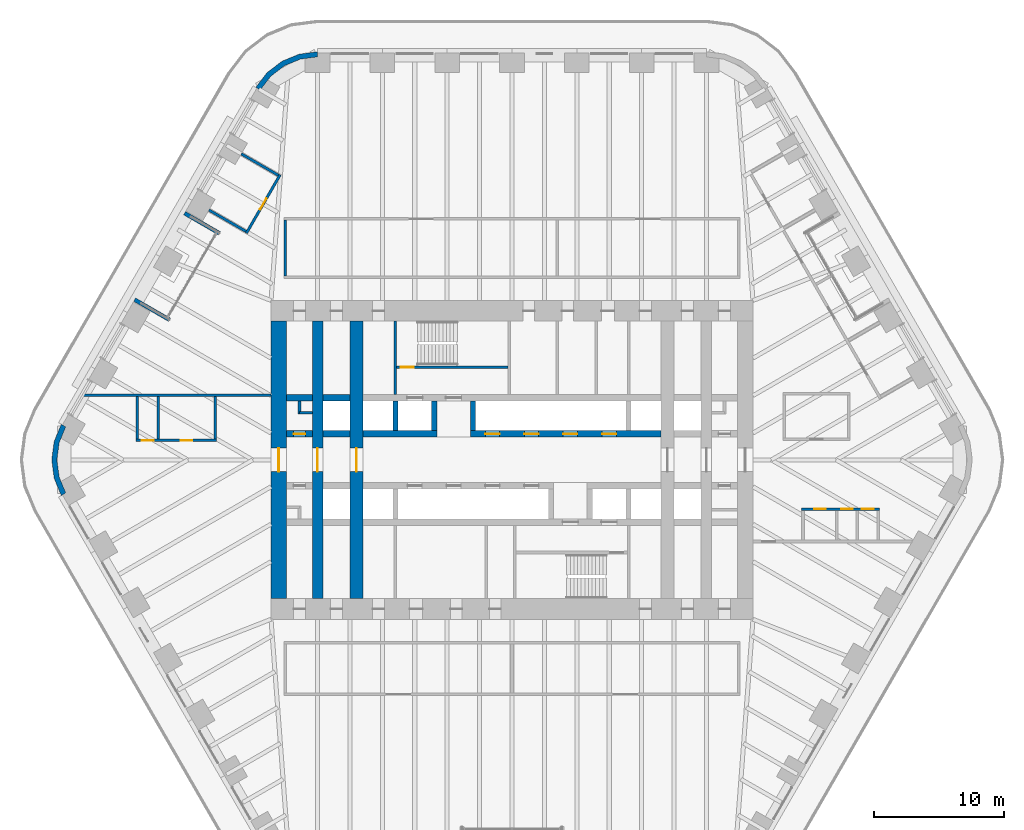
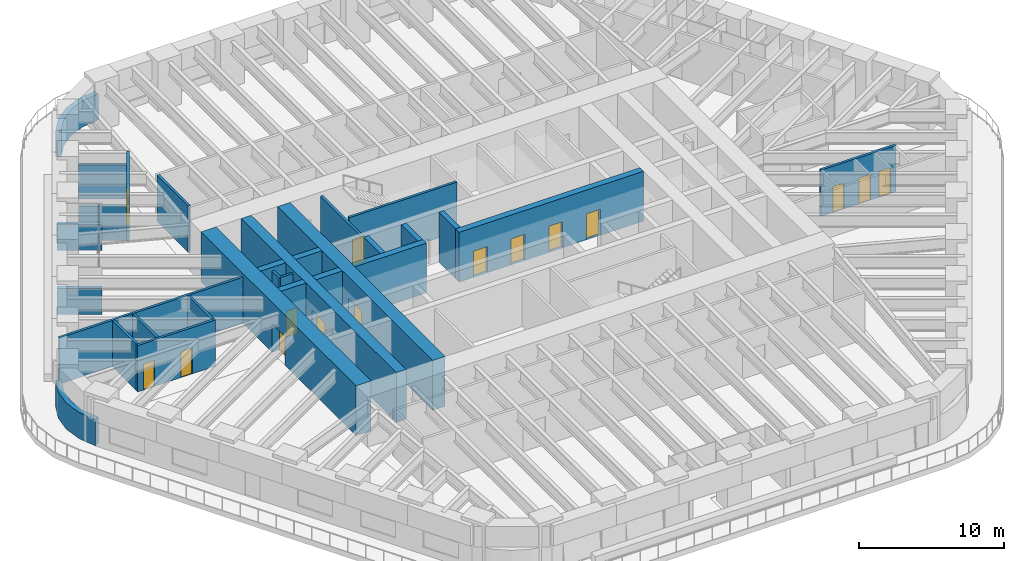
# One storey, part 14 of 19: 30 walls, 15 doors, 15 openings.
"""IFC4 building model written with IfcOpenShell, lengths in metres."""

from ifc_helpers import new_model, si_unit, direction, frame, frame_2d, origin, place, context, subcontext, project, spatial, polyline, rectangle, outline, extrude, material, layer, layer_set, type_object, element, fill, save


model = new_model("IFC4")

# Units and contexts
model_context = context("Model", 3, precision=1e-05, world=origin(), true_north=direction((0.0, 1.0)))
body_context = subcontext(model_context, "Body", "Model", "MODEL_VIEW")
ifc_project = project(units=[si_unit("LENGTHUNIT", "METRE"), si_unit("AREAUNIT", "SQUARE_METRE"), si_unit("VOLUMEUNIT", "CUBIC_METRE"), si_unit("PLANEANGLEUNIT", "RADIAN"), si_unit("MASSUNIT", "GRAM", prefix="KILO")], contexts=[model_context])

# Site, building, storey
site_placement = place(None, origin())
site = spatial("IfcSite", under=ifc_project, at=site_placement, CompositionType="ELEMENT")
building_placement = place(site_placement, origin())
building = spatial("IfcBuilding", under=site, at=building_placement, Name="Tarfa Lantern Tower", CompositionType="ELEMENT")
storey_placement = place(building_placement, frame((0.0, 0.0, 199.300048828125)))
storey = spatial("IfcBuildingStorey", under=building, at=storey_placement, Name="L45", CompositionType="ELEMENT", Elevation=199.300048828125)

# Walls
ifc_material_1 = material(Name="Limestone cladding on blockwork", Category="masonry")
ifc_layer_1 = layer(ifc_material_1, 0.300048828125)
ifc_layer_set_1 = layer_set([ifc_layer_1], Name="EW1 STONE-CLAD WALL 300")
wall_type_1 = type_object("IfcWallType", Name="EW1 STONE-CLAD WALL 300", PredefinedType="SOLIDWALL", material=ifc_layer_set_1)
wall_1_placement = place(storey_placement, frame((-25.266357421875, 19.037353515625, 0.0), z_axis=(0.0, 0.0, 1.0), x_axis=(0.86600983753, -0.500026960575, 0.0)))
element("IfcWall", 1, at=wall_1_placement, inside=storey, type_object=wall_type_1, Name="Loggia return NW 1", PredefinedType="SOLIDWALL", context=body_context, shape_type="SweptSolid", body=[
    extrude(rectangle(XDim=3.099853515625, YDim=0.300048828125, at=frame_2d((1.5498046875, 0.0))), origin(), (0.0, 0.0, 1.0), 2.199951171875),
])
wall_2_placement = place(storey_placement, frame((-29.1201171875, 12.362548828125, 0.0), z_axis=(0.0, 0.0, 1.0), x_axis=(0.86602952684, -0.49999285859, 0.0)))
element("IfcWall", 2, at=wall_2_placement, inside=storey, type_object=wall_type_1, Name="Loggia return NW 2", PredefinedType="SOLIDWALL", context=body_context, shape_type="SweptSolid", body=[
    extrude(rectangle(XDim=3.10009765625, YDim=0.300048828125, at=frame_2d((1.550048828125, 0.0))), origin(), (0.0, 0.0, 1.0), 2.199951171875),
])
ifc_layer_2 = layer(ifc_material_1, 0.39990234375)
ifc_layer_set_2 = layer_set([ifc_layer_2], Name="EW2 CURVED STONE CORNER 400")
wall_type_2 = type_object("IfcWallType", Name="EW2 CURVED STONE CORNER 400", PredefinedType="SOLIDWALL", material=ifc_layer_set_2)
wall_3_placement = place(storey_placement, origin())
element("IfcWall", 3, at=wall_3_placement, inside=storey, type_object=wall_type_2, Name="Stone corner N-NW", PredefinedType="SOLIDWALL", context=body_context, shape_type="SweptSolid", body=[
    extrude(outline(polyline([(-15.010986328125, 31.5), (-16.4345703125, 31.3125), (-17.760986328125, 30.76318359375), (-18.900146484375, 29.88916015625), (-19.774169921875, 28.75), (-19.427734375, 28.550048828125), (-18.617431640625, 29.606201171875), (-17.56103515625, 30.416748046875), (-16.3310546875, 30.92626953125), (-15.010986328125, 31.10009765625), (-15.010986328125, 31.5)])), origin(), (0.0, 0.0, 1.0), 2.199951171875),
])
wall_4_placement = place(storey_placement, origin())
element("IfcWall", 4, at=wall_4_placement, inside=storey, type_object=wall_type_2, Name="Stone corner NW-SW", PredefinedType="SOLIDWALL", context=body_context, shape_type="SweptSolid", body=[
    extrude(outline(polyline([(-34.785400390625, 2.75), (-35.334716796875, 1.423583984375), (-35.522216796875, 0.0), (-35.334716796875, -1.423583984375), (-34.785400390625, -2.75), (-34.43896484375, -2.550048828125), (-34.948486328125, -1.320068359375), (-35.122314453125, 0.0), (-34.948486328125, 1.320068359375), (-34.43896484375, 2.550048828125), (-34.785400390625, 2.75)])), origin(), (0.0, 0.0, 1.0), 2.199951171875),
])
ifc_material_2 = material(Name="Concrete blockwork", Category="masonry")
ifc_layer_3 = layer(ifc_material_2, 0.199951171875)
ifc_layer_set_3 = layer_set([ifc_layer_3], Name="IW1 BLOCKWORK PARTITION 200 EI 120")
wall_type_3 = type_object("IfcWallType", Name="IW1 BLOCKWORK PARTITION 200 EI 120", PredefinedType="PARTITIONING", material=ifc_layer_set_3)
wall_5_placement = place(storey_placement, frame((-9.0, 5.050048828125, 0.0), z_axis=(0.0, 0.0, 1.0), x_axis=(0.0, 1.0, 0.0)))
element("IfcWall", 5, at=wall_5_placement, inside=storey, type_object=wall_type_3, Name="Core partition", PredefinedType="PARTITIONING", context=body_context, shape_type="SweptSolid", body=[
    extrude(rectangle(XDim=5.64990234375, YDim=0.199951171875, at=frame_2d((2.824951171875, 0.0))), origin(), (0.0, 0.0, 1.0), 3.89990234375),
])
for number, where, z_axis, x_axis, name in (
    (6, (-16.39990234375, 3.64990234375, 0.0), (0.0, 0.0, 1.0), (1.0, 0.0, 0.0), "Core partition"),
    (7, (-16.39990234375, 3.550048828125, 0.0), (0.0, 0.0, 1.0), (0.0, 1.0, 0.0), "Core partition"),
):
    element("IfcWall", number, at=place(storey_placement, frame(where, z_axis=z_axis, x_axis=x_axis)), inside=storey, type_object=wall_type_3, Name=name, PredefinedType="PARTITIONING", context=body_context, shape_type="SweptSolid", body=[
        extrude(rectangle(XDim=1.0, YDim=0.199951171875, at=frame_2d((0.5, 0.0))), origin(), (0.0, 0.0, 1.0), 3.89990234375),
    ])
ifc_material_3 = material(Name="Gypsum board on steel studs", Category="steel")
ifc_layer_4 = layer(ifc_material_3, 0.2099609375)
ifc_layer_set_4 = layer_set([ifc_layer_4], Name="IW2 ACOUSTIC PARTITION 200")
wall_type_4 = type_object("IfcWallType", Name="IW2 ACOUSTIC PARTITION 200", PredefinedType="PARTITIONING", material=ifc_layer_set_4)
wall_6_placement = place(storey_placement, frame((-17.5, 14.199951171875, 0.0), z_axis=(0.0, 0.0, 1.0), x_axis=(0.0, 1.0, 0.0)))
element("IfcWall", 8, at=wall_6_placement, inside=storey, type_object=wall_type_4, Name="Partition", PredefinedType="PARTITIONING", context=body_context, shape_type="SweptSolid", body=[
    extrude(rectangle(XDim=4.300048828125, YDim=0.199951171875, at=frame_2d((2.14990234375, 0.0))), origin(), (0.0, 0.0, 1.0), 3.89990234375),
])

# Wall, opening, door
wall_7_placement = place(storey_placement, frame((-17.89599609375, 22.003173828125, 0.0), z_axis=(0.0, 0.0, 1.0), x_axis=(-0.500009456303, -0.866019944116, 0.0)))
wall_7 = element("IfcWall", 9, at=wall_7_placement, inside=storey, type_object=wall_type_4, Name="Partition", PredefinedType="PARTITIONING", context=body_context, shape_type="SweptSolid", body=[
    extrude(rectangle(XDim=5.20361328125, YDim=0.199951171875, at=frame_2d((2.601806640625, 0.0))), origin(), (0.0, 0.0, 1.0), 3.89990234375),
])
opening_1_placement = place(wall_7_placement, frame((2.101806640625, 0.0, 0.0)))
opening_1 = element("IfcOpeningElement", 10, at=opening_1_placement, cuts=wall_7, Name="Opening D38", PredefinedType="OPENING", context=body_context, shape_type="SweptSolid", body=[
    extrude(rectangle(XDim=1.0, YDim=2.199951171875, at=frame_2d((0.5, 1.10009765625))), frame((0.0, 0.10986328125, 0.0), z_axis=(0.0, -1.0, 0.0), x_axis=(1.0, 0.0, 0.0)), (0.0, 0.0, 1.0), 0.219970703125),
])
ifc_material_4 = material(Name="Timber door", Category="wood")
door_type_1 = type_object("IfcDoorType", Name="DR1 ROOM DOOR 1000x2200", OperationType="SINGLE_SWING_LEFT", PredefinedType="DOOR", material=ifc_material_4)
door_1_placement = place(opening_1_placement, frame((1.0, 0.0, 0.0), z_axis=(0.0, 0.0, 1.0), x_axis=(-1.0, 0.0, 0.0)))
door_1 = element("IfcDoor", 11, at=door_1_placement, inside=storey, type_object=door_type_1, Name="Materials preparation room door", OperationType="SINGLE_SWING_RIGHT", OverallHeight=2.199951171875, OverallWidth=1.0, PredefinedType="DOOR", context=body_context, shape_type="SweptSolid", body=[
    extrude(rectangle(XDim=1.0, YDim=2.199951171875, at=frame_2d((0.5, 1.10009765625))), frame((0.0, 0.02490234375, 0.0), z_axis=(0.0, -1.0, 0.0), x_axis=(1.0, 0.0, 0.0)), (0.0, 0.0, 1.0), 0.050048828125),
])
fill(opening_1, door_1)

# Walls
for number, where, z_axis, x_axis, name in (
    (12, (-18.032470703125, 21.966552734375, 0.0), (0.0, 0.0, 1.0), (-0.866008176907, 0.50002983664, 0.0), "Partition"),
    (13, (-20.534423828125, 17.63330078125, 0.0), (0.0, 0.0, 1.0), (-0.866008176907, 0.50002983664, 0.0), "Partition"),
):
    element("IfcWall", number, at=place(storey_placement, frame(where, z_axis=z_axis, x_axis=x_axis)), inside=storey, type_object=wall_type_4, Name=name, PredefinedType="PARTITIONING", context=body_context, shape_type="SweptSolid", body=[
        extrude(rectangle(XDim=3.300048828125, YDim=0.199951171875, at=frame_2d((1.64990234375, 0.0))), origin(), (0.0, 0.0, 1.0), 2.891845703125),
    ])
wall_8_placement = place(storey_placement, frame((-18.60009765625, 5.0, 0.0), z_axis=(0.0, 0.0, 1.0), x_axis=(-1.0, 0.0, 0.0)))
element("IfcWall", 14, at=wall_8_placement, inside=storey, type_object=wall_type_4, Name="Partition", PredefinedType="PARTITIONING", context=body_context, shape_type="SweptSolid", body=[
    extrude(rectangle(XDim=14.632080078125, YDim=0.199951171875, at=frame_2d((7.31591796875, 0.0))), origin(), (0.0, 0.0, 1.0), 3.89990234375),
])

# Wall, openings, doors
wall_9_placement = place(storey_placement, frame((-22.816162109375, 1.5, 0.0), z_axis=(0.0, 0.0, 1.0), x_axis=(-1.0, 0.0, 0.0)))
wall_9 = element("IfcWall", 15, at=wall_9_placement, inside=storey, type_object=wall_type_4, Name="Partition", PredefinedType="PARTITIONING", context=body_context, shape_type="SweptSolid", body=[
    extrude(rectangle(XDim=6.199951171875, YDim=0.199951171875, at=frame_2d((3.10009765625, 0.0))), origin(), (0.0, 0.0, 1.0), 3.89990234375),
])
opening_2_placement = place(wall_9_placement, frame((1.85009765625, 0.0, 0.0)))
opening_2 = element("IfcOpeningElement", 16, at=opening_2_placement, cuts=wall_9, Name="Opening D43", PredefinedType="OPENING", context=body_context, shape_type="SweptSolid", body=[
    extrude(rectangle(XDim=0.89990234375, YDim=2.199951171875, at=frame_2d((0.449951171875, 1.10009765625))), frame((0.0, 0.10986328125, 0.0), z_axis=(0.0, -1.0, 0.0), x_axis=(1.0, 0.0, 0.0)), (0.0, 0.0, 1.0), 0.219970703125),
])
opening_3_placement = place(wall_9_placement, frame((4.85009765625, 0.0, 0.0)))
opening_3 = element("IfcOpeningElement", 17, at=opening_3_placement, cuts=wall_9, Name="Opening D44", PredefinedType="OPENING", context=body_context, shape_type="SweptSolid", body=[
    extrude(rectangle(XDim=0.89990234375, YDim=2.199951171875, at=frame_2d((0.449951171875, 1.10009765625))), frame((0.0, 0.10986328125, 0.0), z_axis=(0.0, -1.0, 0.0), x_axis=(1.0, 0.0, 0.0)), (0.0, 0.0, 1.0), 0.219970703125),
])
door_type_2 = type_object("IfcDoorType", Name="DR3 ROOM DOOR 900x2200", OperationType="SINGLE_SWING_LEFT", PredefinedType="DOOR", material=ifc_material_4)
door_2_placement = place(opening_2_placement, frame((0.89990234375, 0.0, 0.0), z_axis=(0.0, 0.0, 1.0), x_axis=(-1.0, 0.0, 0.0)))
door_2 = element("IfcDoor", 18, at=door_2_placement, inside=storey, type_object=door_type_2, Name="Meeting room door", OperationType="SINGLE_SWING_LEFT", OverallHeight=2.199951171875, OverallWidth=0.89990234375, PredefinedType="DOOR", context=body_context, shape_type="SweptSolid", body=[
    extrude(rectangle(XDim=0.89990234375, YDim=2.199951171875, at=frame_2d((0.449951171875, 1.10009765625))), frame((0.0, 0.02490234375, 0.0), z_axis=(0.0, -1.0, 0.0), x_axis=(1.0, 0.0, 0.0)), (0.0, 0.0, 1.0), 0.050048828125),
])
fill(opening_2, door_2)
door_3_placement = place(opening_3_placement, frame((0.89990234375, 0.0, 0.0), z_axis=(0.0, 0.0, 1.0), x_axis=(-1.0, 0.0, 0.0)))
door_3 = element("IfcDoor", 19, at=door_3_placement, inside=storey, type_object=door_type_2, Name="Phone booth door", OperationType="SINGLE_SWING_RIGHT", OverallHeight=2.199951171875, OverallWidth=0.89990234375, PredefinedType="DOOR", context=body_context, shape_type="SweptSolid", body=[
    extrude(rectangle(XDim=0.89990234375, YDim=2.199951171875, at=frame_2d((0.449951171875, 1.10009765625))), frame((0.0, 0.02490234375, 0.0), z_axis=(0.0, -1.0, 0.0), x_axis=(1.0, 0.0, 0.0)), (0.0, 0.0, 1.0), 0.050048828125),
])
fill(opening_3, door_3)

# Walls
for number, where, z_axis, x_axis, name in (
    (20, (-22.916015625, 4.89990234375, 0.0), (0.0, 0.0, 1.0), (0.0, -1.0, 0.0), "Partition"),
    (21, (-27.316162109375, 4.89990234375, 0.0), (0.0, 0.0, 1.0), (0.0, -1.0, 0.0), "Partition"),
    (22, (-28.916015625, 4.89990234375, 0.0), (0.0, 0.0, 1.0), (0.0, -1.0, 0.0), "Partition"),
):
    element("IfcWall", number, at=place(storey_placement, frame(where, z_axis=z_axis, x_axis=x_axis)), inside=storey, type_object=wall_type_4, Name=name, PredefinedType="PARTITIONING", context=body_context, shape_type="SweptSolid", body=[
        extrude(rectangle(XDim=3.2998046875, YDim=0.199951171875, at=frame_2d((1.64990234375, 0.0))), origin(), (0.0, 0.0, 1.0), 3.89990234375),
    ])

# Wall, openings, doors
wall_10_placement = place(storey_placement, frame((22.358642578125, -3.800048828125, 0.0), z_axis=(0.0, 0.0, 1.0), x_axis=(1.0, 0.0, 0.0)))
wall_10 = element("IfcWall", 23, at=wall_10_placement, inside=storey, type_object=wall_type_4, Name="Partition", PredefinedType="PARTITIONING", context=body_context, shape_type="SweptSolid", body=[
    extrude(rectangle(XDim=6.0, YDim=0.199951171875, at=frame_2d((3.0, 0.0))), origin(), (0.0, 0.0, 1.0), 3.89990234375),
])
opening_4_placement = place(wall_10_placement, frame((0.949951171875, 0.0, 0.0)))
opening_4 = element("IfcOpeningElement", 24, at=opening_4_placement, cuts=wall_10, Name="Opening D45", PredefinedType="OPENING", context=body_context, shape_type="SweptSolid", body=[
    extrude(rectangle(XDim=0.89990234375, YDim=2.199951171875, at=frame_2d((0.449951171875, 1.10009765625))), frame((0.0, 0.10986328125, 0.0), z_axis=(0.0, -1.0, 0.0), x_axis=(1.0, 0.0, 0.0)), (0.0, 0.0, 1.0), 0.219970703125),
])
opening_5_placement = place(wall_10_placement, frame((3.050048828125, 0.0, 0.0)))
opening_5 = element("IfcOpeningElement", 25, at=opening_5_placement, cuts=wall_10, Name="Opening D46", PredefinedType="OPENING", context=body_context, shape_type="SweptSolid", body=[
    extrude(rectangle(XDim=0.89990234375, YDim=2.199951171875, at=frame_2d((0.449951171875, 1.10009765625))), frame((0.0, 0.10986328125, 0.0), z_axis=(0.0, -1.0, 0.0), x_axis=(1.0, 0.0, 0.0)), (0.0, 0.0, 1.0), 0.219970703125),
])
opening_6_placement = place(wall_10_placement, frame((4.64990234375, 0.0, 0.0)))
opening_6 = element("IfcOpeningElement", 26, at=opening_6_placement, cuts=wall_10, Name="Opening D47", PredefinedType="OPENING", context=body_context, shape_type="SweptSolid", body=[
    extrude(rectangle(XDim=0.89990234375, YDim=2.199951171875, at=frame_2d((0.449951171875, 1.10009765625))), frame((0.0, 0.10986328125, 0.0), z_axis=(0.0, -1.0, 0.0), x_axis=(1.0, 0.0, 0.0)), (0.0, 0.0, 1.0), 0.219970703125),
])
door_4_placement = place(opening_4_placement, frame((0.89990234375, 0.0, 0.0), z_axis=(0.0, 0.0, 1.0), x_axis=(-1.0, 0.0, 0.0)))
door_4 = element("IfcDoor", 27, at=door_4_placement, inside=storey, type_object=door_type_2, Name="Print and copy room door", OperationType="SINGLE_SWING_LEFT", OverallHeight=2.199951171875, OverallWidth=0.89990234375, PredefinedType="DOOR", context=body_context, shape_type="SweptSolid", body=[
    extrude(rectangle(XDim=0.89990234375, YDim=2.199951171875, at=frame_2d((0.449951171875, 1.10009765625))), frame((0.0, 0.02490234375, 0.0), z_axis=(0.0, -1.0, 0.0), x_axis=(1.0, 0.0, 0.0)), (0.0, 0.0, 1.0), 0.050048828125),
])
fill(opening_4, door_4)
door_5_placement = place(opening_5_placement, frame((0.89990234375, 0.0, 0.0), z_axis=(0.0, 0.0, 1.0), x_axis=(-1.0, 0.0, 0.0)))
door_5 = element("IfcDoor", 28, at=door_5_placement, inside=storey, type_object=door_type_2, Name="Phone booth door", OperationType="SINGLE_SWING_RIGHT", OverallHeight=2.199951171875, OverallWidth=0.89990234375, PredefinedType="DOOR", context=body_context, shape_type="SweptSolid", body=[
    extrude(rectangle(XDim=0.89990234375, YDim=2.199951171875, at=frame_2d((0.449951171875, 1.10009765625))), frame((0.0, 0.02490234375, 0.0), z_axis=(0.0, -1.0, 0.0), x_axis=(1.0, 0.0, 0.0)), (0.0, 0.0, 1.0), 0.050048828125),
])
fill(opening_5, door_5)
door_6_placement = place(opening_6_placement, frame((0.89990234375, 0.0, 0.0), z_axis=(0.0, 0.0, 1.0), x_axis=(-1.0, 0.0, 0.0)))
door_6 = element("IfcDoor", 29, at=door_6_placement, inside=storey, type_object=door_type_2, Name="Phone booth door", OperationType="SINGLE_SWING_RIGHT", OverallHeight=2.199951171875, OverallWidth=0.89990234375, PredefinedType="DOOR", context=body_context, shape_type="SweptSolid", body=[
    extrude(rectangle(XDim=0.89990234375, YDim=2.199951171875, at=frame_2d((0.449951171875, 1.10009765625))), frame((0.0, 0.02490234375, 0.0), z_axis=(0.0, -1.0, 0.0), x_axis=(1.0, 0.0, 0.0)), (0.0, 0.0, 1.0), 0.050048828125),
])
fill(opening_6, door_6)

# Wall, opening, door
ifc_material_5 = material(Name="Concrete C80/95", Category="concrete")
ifc_layer_5 = layer(ifc_material_5, 1.199951171875)
ifc_layer_set_5 = layer_set([ifc_layer_5], Name="SW1 CORE WALL 1200")
wall_type_5 = type_object("IfcWallType", Name="SW1 CORE WALL 1200", PredefinedType="SHEAR", material=ifc_layer_set_5)
wall_11_placement = place(storey_placement, frame((-18.0, 10.699951171875, 0.0), z_axis=(0.0, 0.0, 1.0), x_axis=(0.0, -1.0, 0.0)))
wall_11 = element("IfcWall", 30, at=wall_11_placement, inside=storey, type_object=wall_type_5, Name="Core wall W", PredefinedType="SHEAR", context=body_context, shape_type="SweptSolid", body=[
    extrude(rectangle(XDim=21.39990234375, YDim=1.199951171875, at=frame_2d((10.699951171875, 0.0))), origin(), (0.0, 0.0, 1.0), 4.199951171875),
])
opening_7_placement = place(wall_11_placement, frame((9.800048828125, 0.0, 0.0)))
opening_7 = element("IfcOpeningElement", 31, at=opening_7_placement, cuts=wall_11, Name="Opening D16", PredefinedType="OPENING", context=body_context, shape_type="SweptSolid", body=[
    extrude(rectangle(XDim=1.800048828125, YDim=2.39990234375, at=frame_2d((0.89990234375, 1.199951171875))), frame((0.0, 0.60986328125, 0.0), z_axis=(0.0, -1.0, 0.0), x_axis=(1.0, 0.0, 0.0)), (0.0, 0.0, 1.0), 1.219970703125),
])
ifc_material_6 = material(Name="Steel fire door", Category="steel")
door_type_3 = type_object("IfcDoorType", Name="DL1 LOBBY DOOR 1800x2400", OperationType="DOUBLE_DOOR_SINGLE_SWING", PredefinedType="DOOR", material=ifc_material_6)
door_7_placement = place(opening_7_placement, frame((1.800048828125, 0.0, 0.0), z_axis=(0.0, 0.0, 1.0), x_axis=(-1.0, 0.0, 0.0)))
door_7 = element("IfcDoor", 32, at=door_7_placement, inside=storey, type_object=door_type_3, Name="Lift lobby door", OperationType="DOUBLE_DOOR_SINGLE_SWING", OverallHeight=2.39990234375, OverallWidth=1.800048828125, PredefinedType="DOOR", context=body_context, shape_type="SweptSolid", body=[
    extrude(rectangle(XDim=1.800048828125, YDim=2.39990234375, at=frame_2d((0.89990234375, 1.199951171875))), frame((0.0, 0.02490234375, 0.0), z_axis=(0.0, -1.0, 0.0), x_axis=(1.0, 0.0, 0.0)), (0.0, 0.0, 1.0), 0.050048828125),
])
fill(opening_7, door_7)

ifc_layer_6 = layer(ifc_material_5, 0.800048828125)
ifc_layer_set_6 = layer_set([ifc_layer_6], Name="SW10 CORE WALL 800")
wall_type_6 = type_object("IfcWallType", Name="SW10 CORE WALL 800", PredefinedType="SHEAR", material=ifc_layer_set_6)
wall_12_placement = place(storey_placement, frame((-15.0, -10.699951171875, 0.0), z_axis=(0.0, 0.0, 1.0), x_axis=(0.0, 1.0, 0.0)))
wall_12 = element("IfcWall", 33, at=wall_12_placement, inside=storey, type_object=wall_type_6, Name="Core wall cross 15 m west", PredefinedType="SHEAR", context=body_context, shape_type="SweptSolid", body=[
    extrude(rectangle(XDim=21.39990234375, YDim=0.800048828125, at=frame_2d((10.699951171875, 0.0))), origin(), (0.0, 0.0, 1.0), 4.199951171875),
])
opening_8_placement = place(wall_12_placement, frame((9.800048828125, 0.0, 0.0)))
opening_8 = element("IfcOpeningElement", 34, at=opening_8_placement, cuts=wall_12, Name="Opening D32", PredefinedType="OPENING", context=body_context, shape_type="SweptSolid", body=[
    extrude(rectangle(XDim=1.800048828125, YDim=2.39990234375, at=frame_2d((0.89990234375, 1.199951171875))), frame((0.0, 0.409912109375, 0.0), z_axis=(0.0, -1.0, 0.0), x_axis=(1.0, 0.0, 0.0)), (0.0, 0.0, 1.0), 0.820068359375),
])
door_8_placement = place(opening_8_placement, origin())
door_8 = element("IfcDoor", 35, at=door_8_placement, inside=storey, type_object=door_type_3, Name="Lift lobby door", OperationType="DOUBLE_DOOR_SINGLE_SWING", OverallHeight=2.39990234375, OverallWidth=1.800048828125, PredefinedType="DOOR", context=body_context, shape_type="SweptSolid", body=[
    extrude(rectangle(XDim=1.800048828125, YDim=2.39990234375, at=frame_2d((0.89990234375, 1.199951171875))), frame((0.0, 0.02490234375, 0.0), z_axis=(0.0, -1.0, 0.0), x_axis=(1.0, 0.0, 0.0)), (0.0, 0.0, 1.0), 0.050048828125),
])
fill(opening_8, door_8)

ifc_layer_7 = layer(ifc_material_5, 0.199951171875)
ifc_layer_set_7 = layer_set([ifc_layer_7], Name="SW12 CORE WALL 200")
wall_type_7 = type_object("IfcWallType", Name="SW12 CORE WALL 200", PredefinedType="SHEAR", material=ifc_layer_set_7)
wall_13_placement = place(storey_placement, frame((-8.89990234375, 7.14990234375, 0.0), z_axis=(0.0, 0.0, 1.0), x_axis=(1.0, 0.0, 0.0)))
wall_13 = element("IfcWall", 36, at=wall_13_placement, inside=storey, type_object=wall_type_7, Name="Core wall stair partition N", PredefinedType="SHEAR", context=body_context, shape_type="SweptSolid", body=[
    extrude(rectangle(XDim=8.599853515625, YDim=0.199951171875, at=frame_2d((4.2998046875, 0.0))), origin(), (0.0, 0.0, 1.0), 4.199951171875),
])
opening_9_placement = place(wall_13_placement, frame((0.300048828125, 0.0, 0.0)))
opening_9 = element("IfcOpeningElement", 37, at=opening_9_placement, cuts=wall_13, Name="Opening D27", PredefinedType="OPENING", context=body_context, shape_type="SweptSolid", body=[
    extrude(rectangle(XDim=1.0, YDim=2.199951171875, at=frame_2d((0.5, 1.10009765625))), frame((0.0, 0.10986328125, 0.0), z_axis=(0.0, -1.0, 0.0), x_axis=(1.0, 0.0, 0.0)), (0.0, 0.0, 1.0), 0.219970703125),
])
door_type_4 = type_object("IfcDoorType", Name="DF2 STAIR DOOR 1000x2200", OperationType="SINGLE_SWING_LEFT", PredefinedType="DOOR", material=ifc_material_6)
door_9_placement = place(opening_9_placement, origin())
door_9 = element("IfcDoor", 38, at=door_9_placement, inside=storey, type_object=door_type_4, Name="Stair door", OperationType="SINGLE_SWING_RIGHT", OverallHeight=2.199951171875, OverallWidth=1.0, PredefinedType="DOOR", context=body_context, shape_type="SweptSolid", body=[
    extrude(rectangle(XDim=1.0, YDim=2.199951171875, at=frame_2d((0.5, 1.10009765625))), frame((0.0, 0.02490234375, 0.0), z_axis=(0.0, -1.0, 0.0), x_axis=(1.0, 0.0, 0.0)), (0.0, 0.0, 1.0), 0.050048828125),
])
fill(opening_9, door_9)

ifc_layer_8 = layer(ifc_material_5, 1.0)
ifc_layer_set_8 = layer_set([ifc_layer_8], Name="SW2 CORE WALL 1000")
wall_type_8 = type_object("IfcWallType", Name="SW2 CORE WALL 1000", PredefinedType="SHEAR", material=ifc_layer_set_8)
wall_14_placement = place(storey_placement, frame((-12.0, -10.699951171875, 0.0), z_axis=(0.0, 0.0, 1.0), x_axis=(0.0, 1.0, 0.0)))
wall_14 = element("IfcWall", 39, at=wall_14_placement, inside=storey, type_object=wall_type_8, Name="Core wall cross 12 m west", PredefinedType="SHEAR", context=body_context, shape_type="SweptSolid", body=[
    extrude(rectangle(XDim=21.39990234375, YDim=1.0, at=frame_2d((10.699951171875, 0.0))), origin(), (0.0, 0.0, 1.0), 4.199951171875),
])
opening_10_placement = place(wall_14_placement, frame((9.800048828125, 0.0, 0.0)))
opening_10 = element("IfcOpeningElement", 40, at=opening_10_placement, cuts=wall_14, Name="Opening D31", PredefinedType="OPENING", context=body_context, shape_type="SweptSolid", body=[
    extrude(rectangle(XDim=1.800048828125, YDim=2.39990234375, at=frame_2d((0.89990234375, 1.199951171875))), frame((0.0, 0.510009765625, 0.0), z_axis=(0.0, -1.0, 0.0), x_axis=(1.0, 0.0, 0.0)), (0.0, 0.0, 1.0), 1.02001953125),
])
door_10_placement = place(opening_10_placement, origin())
door_10 = element("IfcDoor", 41, at=door_10_placement, inside=storey, type_object=door_type_3, Name="Lift lobby door", OperationType="DOUBLE_DOOR_SINGLE_SWING", OverallHeight=2.39990234375, OverallWidth=1.800048828125, PredefinedType="DOOR", context=body_context, shape_type="SweptSolid", body=[
    extrude(rectangle(XDim=1.800048828125, YDim=2.39990234375, at=frame_2d((0.89990234375, 1.199951171875))), frame((0.0, 0.02490234375, 0.0), z_axis=(0.0, -1.0, 0.0), x_axis=(1.0, 0.0, 0.0)), (0.0, 0.0, 1.0), 0.050048828125),
])
fill(opening_10, door_10)

ifc_layer_9 = layer(ifc_material_5, 0.5)
ifc_layer_set_9 = layer_set([ifc_layer_9], Name="SW5 CORE WALL 500")
wall_type_9 = type_object("IfcWallType", Name="SW5 CORE WALL 500", PredefinedType="SHEAR", material=ifc_layer_set_9)
wall_15_placement = place(storey_placement, frame((-17.39990234375, 2.0, 0.0), z_axis=(0.0, 0.0, 1.0), x_axis=(1.0, 0.0, 0.0)))
wall_15 = element("IfcWall", 42, at=wall_15_placement, inside=storey, type_object=wall_type_9, Name="Core wall lobby west N", PredefinedType="SHEAR", context=body_context, shape_type="SweptSolid", body=[
    extrude(rectangle(XDim=2.0, YDim=0.5, at=frame_2d((1.0, 0.0))), origin(), (0.0, 0.0, 1.0), 4.199951171875),
])
opening_11_placement = place(wall_15_placement, frame((0.550048828125, 0.0, 0.0)))
opening_11 = element("IfcOpeningElement", 43, at=opening_11_placement, cuts=wall_15, Name="Opening D19", PredefinedType="OPENING", context=body_context, shape_type="SweptSolid", body=[
    extrude(rectangle(XDim=0.89990234375, YDim=2.199951171875, at=frame_2d((0.449951171875, 1.10009765625))), frame((0.0, 0.260009765625, 0.0), z_axis=(0.0, -1.0, 0.0), x_axis=(1.0, 0.0, 0.0)), (0.0, 0.0, 1.0), 0.52001953125),
])
door_type_5 = type_object("IfcDoorType", Name="DF6 SERVICE ROOM DOOR 900x2200", OperationType="SINGLE_SWING_LEFT", PredefinedType="DOOR", material=ifc_material_6)
door_11_placement = place(opening_11_placement, origin())
door_11 = element("IfcDoor", 44, at=door_11_placement, inside=storey, type_object=door_type_5, Name="Service room door", OperationType="SINGLE_SWING_LEFT", OverallHeight=2.199951171875, OverallWidth=0.89990234375, PredefinedType="DOOR", context=body_context, shape_type="SweptSolid", body=[
    extrude(rectangle(XDim=0.89990234375, YDim=2.199951171875, at=frame_2d((0.449951171875, 1.10009765625))), frame((0.0, 0.02490234375, 0.0), z_axis=(0.0, -1.0, 0.0), x_axis=(1.0, 0.0, 0.0)), (0.0, 0.0, 1.0), 0.050048828125),
])
fill(opening_11, door_11)

# Walls
wall_16_placement = place(storey_placement, frame((-14.60009765625, 2.0, 0.0), z_axis=(0.0, 0.0, 1.0), x_axis=(1.0, 0.0, 0.0)))
element("IfcWall", 45, at=wall_16_placement, inside=storey, type_object=wall_type_9, Name="Core wall lobby west N", PredefinedType="SHEAR", context=body_context, shape_type="SweptSolid", body=[
    extrude(rectangle(XDim=2.10009765625, YDim=0.5, at=frame_2d((1.050048828125, 0.0))), origin(), (0.0, 0.0, 1.0), 4.199951171875),
])
wall_17_placement = place(storey_placement, frame((-11.5, 2.0, 0.0), z_axis=(0.0, 0.0, 1.0), x_axis=(1.0, 0.0, 0.0)))
element("IfcWall", 46, at=wall_17_placement, inside=storey, type_object=wall_type_9, Name="Core wall lobby west N", PredefinedType="SHEAR", context=body_context, shape_type="SweptSolid", body=[
    extrude(rectangle(XDim=5.699951171875, YDim=0.5, at=frame_2d((2.85009765625, 0.0))), origin(), (0.0, 0.0, 1.0), 4.199951171875),
])

# Wall, openings, doors
wall_18_placement = place(storey_placement, frame((-3.199951171875, 2.0, 0.0), z_axis=(0.0, 0.0, 1.0), x_axis=(1.0, 0.0, 0.0)))
wall_18 = element("IfcWall", 47, at=wall_18_placement, inside=storey, type_object=wall_type_9, Name="Core wall lobby east N", PredefinedType="SHEAR", context=body_context, shape_type="SweptSolid", body=[
    extrude(rectangle(XDim=14.699951171875, YDim=0.5, at=frame_2d((7.35009765625, 0.0))), origin(), (0.0, 0.0, 1.0), 4.199951171875),
])
opening_12_placement = place(wall_18_placement, frame((1.14990234375, 0.0, 0.0)))
opening_12 = element("IfcOpeningElement", 48, at=opening_12_placement, cuts=wall_18, Name="Opening LD03", PredefinedType="OPENING", context=body_context, shape_type="SweptSolid", body=[
    extrude(rectangle(XDim=1.10009765625, YDim=2.199951171875, at=frame_2d((0.550048828125, 1.10009765625))), frame((0.0, 0.260009765625, 0.0), z_axis=(0.0, -1.0, 0.0), x_axis=(1.0, 0.0, 0.0)), (0.0, 0.0, 1.0), 0.52001953125),
])
opening_13_placement = place(wall_18_placement, frame((4.14990234375, 0.0, 0.0)))
opening_13 = element("IfcOpeningElement", 49, at=opening_13_placement, cuts=wall_18, Name="Opening LD04", PredefinedType="OPENING", context=body_context, shape_type="SweptSolid", body=[
    extrude(rectangle(XDim=1.10009765625, YDim=2.199951171875, at=frame_2d((0.550048828125, 1.10009765625))), frame((0.0, 0.260009765625, 0.0), z_axis=(0.0, -1.0, 0.0), x_axis=(1.0, 0.0, 0.0)), (0.0, 0.0, 1.0), 0.52001953125),
])
opening_14_placement = place(wall_18_placement, frame((7.14990234375, 0.0, 0.0)))
opening_14 = element("IfcOpeningElement", 50, at=opening_14_placement, cuts=wall_18, Name="Opening LD05", PredefinedType="OPENING", context=body_context, shape_type="SweptSolid", body=[
    extrude(rectangle(XDim=1.10009765625, YDim=2.199951171875, at=frame_2d((0.550048828125, 1.10009765625))), frame((0.0, 0.260009765625, 0.0), z_axis=(0.0, -1.0, 0.0), x_axis=(1.0, 0.0, 0.0)), (0.0, 0.0, 1.0), 0.52001953125),
])
opening_15_placement = place(wall_18_placement, frame((10.14990234375, 0.0, 0.0)))
opening_15 = element("IfcOpeningElement", 51, at=opening_15_placement, cuts=wall_18, Name="Opening LD06", PredefinedType="OPENING", context=body_context, shape_type="SweptSolid", body=[
    extrude(rectangle(XDim=1.10009765625, YDim=2.199951171875, at=frame_2d((0.550048828125, 1.10009765625))), frame((0.0, 0.260009765625, 0.0), z_axis=(0.0, -1.0, 0.0), x_axis=(1.0, 0.0, 0.0)), (0.0, 0.0, 1.0), 0.52001953125),
])
ifc_material_7 = material(Name="Stainless steel lift door", Category="steel")
door_type_6 = type_object("IfcDoorType", Name="LD2 LIFT LANDING DOOR 1100x2200", OperationType="SLIDING_TO_LEFT", PredefinedType="DOOR", material=ifc_material_7)
door_12_placement = place(opening_12_placement, frame((1.10009765625, 0.0, 0.0), z_axis=(0.0, 0.0, 1.0), x_axis=(-1.0, 0.0, 0.0)))
door_12 = element("IfcDoor", 52, at=door_12_placement, inside=storey, type_object=door_type_6, Name="Landing door PB1", OperationType="SLIDING_TO_LEFT", OverallHeight=2.199951171875, OverallWidth=1.10009765625, PredefinedType="DOOR", context=body_context, shape_type="SweptSolid", body=[
    extrude(rectangle(XDim=1.10009765625, YDim=2.199951171875, at=frame_2d((0.550048828125, 1.10009765625))), frame((0.0, 0.02490234375, 0.0), z_axis=(0.0, -1.0, 0.0), x_axis=(1.0, 0.0, 0.0)), (0.0, 0.0, 1.0), 0.050048828125),
])
fill(opening_12, door_12)
door_13_placement = place(opening_13_placement, frame((1.10009765625, 0.0, 0.0), z_axis=(0.0, 0.0, 1.0), x_axis=(-1.0, 0.0, 0.0)))
door_13 = element("IfcDoor", 53, at=door_13_placement, inside=storey, type_object=door_type_6, Name="Landing door PB2", OperationType="SLIDING_TO_LEFT", OverallHeight=2.199951171875, OverallWidth=1.10009765625, PredefinedType="DOOR", context=body_context, shape_type="SweptSolid", body=[
    extrude(rectangle(XDim=1.10009765625, YDim=2.199951171875, at=frame_2d((0.550048828125, 1.10009765625))), frame((0.0, 0.02490234375, 0.0), z_axis=(0.0, -1.0, 0.0), x_axis=(1.0, 0.0, 0.0)), (0.0, 0.0, 1.0), 0.050048828125),
])
fill(opening_13, door_13)
door_14_placement = place(opening_14_placement, frame((1.10009765625, 0.0, 0.0), z_axis=(0.0, 0.0, 1.0), x_axis=(-1.0, 0.0, 0.0)))
door_14 = element("IfcDoor", 54, at=door_14_placement, inside=storey, type_object=door_type_6, Name="Landing door PB3", OperationType="SLIDING_TO_LEFT", OverallHeight=2.199951171875, OverallWidth=1.10009765625, PredefinedType="DOOR", context=body_context, shape_type="SweptSolid", body=[
    extrude(rectangle(XDim=1.10009765625, YDim=2.199951171875, at=frame_2d((0.550048828125, 1.10009765625))), frame((0.0, 0.02490234375, 0.0), z_axis=(0.0, -1.0, 0.0), x_axis=(1.0, 0.0, 0.0)), (0.0, 0.0, 1.0), 0.050048828125),
])
fill(opening_14, door_14)
door_15_placement = place(opening_15_placement, frame((1.10009765625, 0.0, 0.0), z_axis=(0.0, 0.0, 1.0), x_axis=(-1.0, 0.0, 0.0)))
door_15 = element("IfcDoor", 55, at=door_15_placement, inside=storey, type_object=door_type_6, Name="Landing door PB4", OperationType="SLIDING_TO_LEFT", OverallHeight=2.199951171875, OverallWidth=1.10009765625, PredefinedType="DOOR", context=body_context, shape_type="SweptSolid", body=[
    extrude(rectangle(XDim=1.10009765625, YDim=2.199951171875, at=frame_2d((0.550048828125, 1.10009765625))), frame((0.0, 0.02490234375, 0.0), z_axis=(0.0, -1.0, 0.0), x_axis=(1.0, 0.0, 0.0)), (0.0, 0.0, 1.0), 0.050048828125),
])
fill(opening_15, door_15)

# Walls
wall_19_placement = place(storey_placement, frame((-17.39990234375, 4.800048828125, 0.0), z_axis=(0.0, 0.0, 1.0), x_axis=(1.0, 0.0, 0.0)))
element("IfcWall", 56, at=wall_19_placement, inside=storey, type_object=wall_type_9, Name="Core wall rear N", PredefinedType="SHEAR", context=body_context, shape_type="SweptSolid", body=[
    extrude(rectangle(XDim=2.0, YDim=0.5, at=frame_2d((1.0, 0.0))), origin(), (0.0, 0.0, 1.0), 4.199951171875),
])
wall_20_placement = place(storey_placement, frame((-14.60009765625, 4.800048828125, 0.0), z_axis=(0.0, 0.0, 1.0), x_axis=(1.0, 0.0, 0.0)))
element("IfcWall", 57, at=wall_20_placement, inside=storey, type_object=wall_type_9, Name="Core wall rear N", PredefinedType="SHEAR", context=body_context, shape_type="SweptSolid", body=[
    extrude(rectangle(XDim=2.10009765625, YDim=0.5, at=frame_2d((1.050048828125, 0.0))), origin(), (0.0, 0.0, 1.0), 4.199951171875),
])
ifc_layer_10 = layer(ifc_material_5, 0.39990234375)
ifc_layer_set_10 = layer_set([ifc_layer_10], Name="SW6 CORE WALL 400")
wall_type_10 = type_object("IfcWallType", Name="SW6 CORE WALL 400", PredefinedType="SHEAR", material=ifc_layer_set_10)
for number, where, z_axis, x_axis, name in (
    (58, (-9.0, 2.25, 0.0), (0.0, 0.0, 1.0), (0.0, 1.0, 0.0), "Core wall divider N"),
    (59, (-6.0, 2.25, 0.0), (0.0, 0.0, 1.0), (0.0, 1.0, 0.0), "Core wall divider N"),
    (60, (-3.0, 2.25, 0.0), (0.0, 0.0, 1.0), (0.0, 1.0, 0.0), "Core wall divider N"),
):
    element("IfcWall", number, at=place(storey_placement, frame(where, z_axis=z_axis, x_axis=x_axis)), inside=storey, type_object=wall_type_10, Name=name, PredefinedType="SHEAR", context=body_context, shape_type="SweptSolid", body=[
        extrude(rectangle(XDim=2.300048828125, YDim=0.39990234375, at=frame_2d((1.14990234375, 0.0))), origin(), (0.0, 0.0, 1.0), 4.199951171875),
    ])

save(model, "model.ifc")
